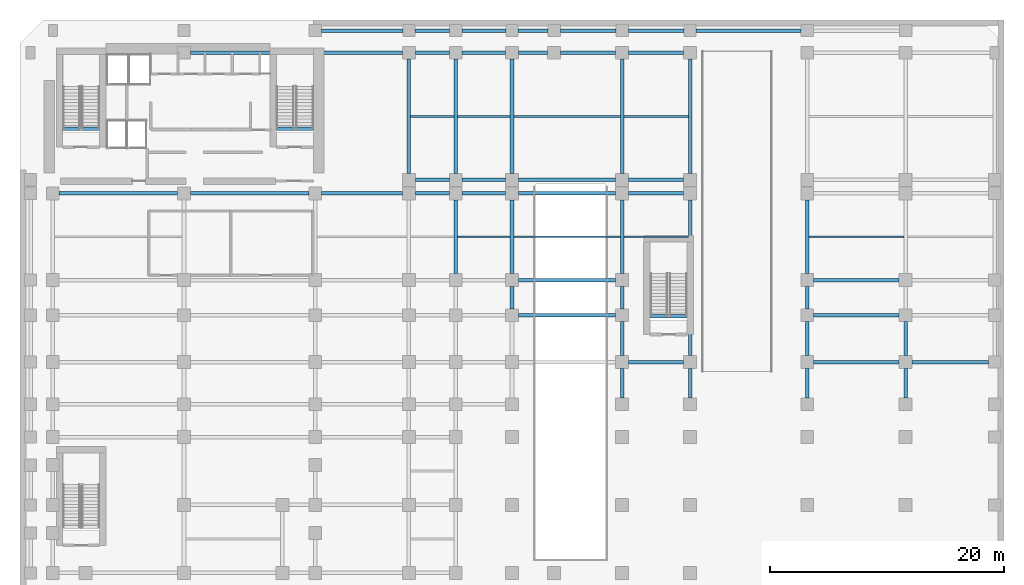
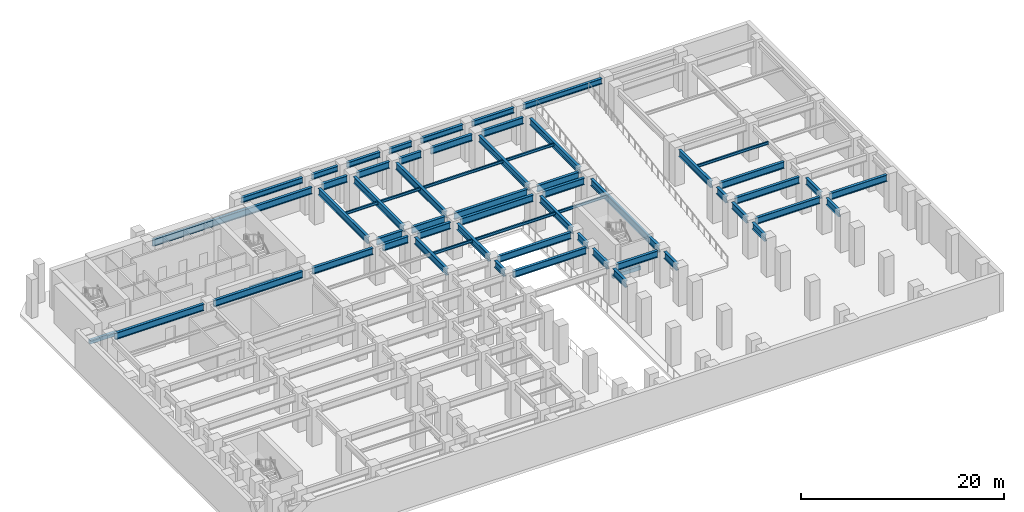
# One storey, part 3 of 12: 62 beams.
"""IFC4 building model written with IfcOpenShell, lengths in metres."""

from ifc_helpers import new_model, si_unit, direction, frame, origin, origin_2d, place, context, subcontext, project, spatial, rectangle, i_section, extrude, material, material_profile, profile_set, type_object, element, save


model = new_model("IFC4")

# Units and contexts
model_context = context("Model", 3, precision=1e-05, world=origin(), true_north=direction((0.0, 1.0)))
body_context = subcontext(model_context, "Body", "Model", "MODEL_VIEW")
ifc_project = project(units=[si_unit("LENGTHUNIT", "METRE"), si_unit("AREAUNIT", "SQUARE_METRE"), si_unit("VOLUMEUNIT", "CUBIC_METRE"), si_unit("PLANEANGLEUNIT", "RADIAN"), si_unit("MASSUNIT", "GRAM", prefix="KILO")], contexts=[model_context])

# Site, building, storey
site_placement = place(None, origin())
site = spatial("IfcSite", under=ifc_project, at=site_placement, CompositionType="ELEMENT")
building_placement = place(site_placement, origin())
building = spatial("IfcBuilding", under=site, at=building_placement, Name="Kefirva Bronze Tower", CompositionType="ELEMENT")
storey_placement = place(building_placement, frame((0.0, 0.0, -4.6201171875)))
storey = spatial("IfcBuildingStorey", under=building, at=storey_placement, Name="B1", CompositionType="ELEMENT", Elevation=-4.6201171875)

# Beams
ifc_material_1 = material(Name="Concrete C50/60", Category="concrete")
ifc_material_profile_1 = material_profile(ifc_material_1, rectangle(XDim=0.300048828125, YDim=0.449951171875, at=origin_2d()), Name="RC 300x450")
ifc_profile_set_1 = profile_set([ifc_material_profile_1], Name="Concrete C50/60")
beam_type_1 = type_object("IfcBeamType", Name="RC Stair Trimmer Beam 300x450", PredefinedType="BEAM", material=ifc_profile_set_1)
beam_1_placement = place(storey_placement, frame((1.64501953125, 38.699951171875, -0.224853515625), z_axis=(1.0, 0.0, 0.0), x_axis=(0.0, 1.0, 0.0)))
element("IfcBeam", 1, at=beam_1_placement, inside=storey, type_object=beam_type_1, Name="B1 Stair 1 Landing Trimmer Beam", PredefinedType="BEAM", context=body_context, shape_type="SweptSolid", body=[
    extrude(rectangle(XDim=0.300048828125, YDim=0.449951171875, at=origin_2d()), origin(), (0.0, 0.0, 1.0), 3.14990234375),
])
beam_2_placement = place(storey_placement, frame((19.89501953125, 38.699951171875, -0.224853515625), z_axis=(1.0, 0.0, 0.0), x_axis=(0.0, 1.0, 0.0)))
element("IfcBeam", 2, at=beam_2_placement, inside=storey, type_object=beam_type_1, Name="B1 Stair 2 Landing Trimmer Beam", PredefinedType="BEAM", context=body_context, shape_type="SweptSolid", body=[
    extrude(rectangle(XDim=0.300048828125, YDim=0.449951171875, at=origin_2d()), origin(), (0.0, 0.0, 1.0), 3.159912109375),
])
beam_3_placement = place(storey_placement, frame((51.794921875, 22.699951171875, -0.224853515625), z_axis=(1.0, 0.0, 0.0), x_axis=(0.0, 1.0, 0.0)))
element("IfcBeam", 3, at=beam_3_placement, inside=storey, type_object=beam_type_1, Name="B1 Stair 4 Landing Trimmer Beam", PredefinedType="BEAM", context=body_context, shape_type="SweptSolid", body=[
    extrude(rectangle(XDim=0.300048828125, YDim=0.449951171875, at=origin_2d()), origin(), (0.0, 0.0, 1.0), 3.150146484375),
])
ifc_material_2 = material(Name="Steel S355", Category="steel")
ifc_material_profile_2 = material_profile(ifc_material_2, i_section(OverallWidth=0.159912109375, OverallDepth=0.330078125, WebThickness=0.007568359375, FlangeThickness=0.011474609375, at=origin_2d()), Name="IPE 330")
ifc_profile_set_2 = profile_set([ifc_material_profile_2], Name="Steel S355")
beam_type_2 = type_object("IfcBeamType", Name="Steel Floor Joist IPE 330", PredefinedType="JOIST", material=ifc_profile_set_2)
beam_4_placement = place(storey_placement, frame((31.35009765625, 39.77490234375, 4.135009765625), z_axis=(1.0, 0.0, 0.0), x_axis=(0.0, 1.0, 0.0)))
element("IfcBeam", 4, at=beam_4_placement, inside=storey, type_object=beam_type_2, Name="B1 JST-B1-31-397", PredefinedType="JOIST", context=body_context, shape_type="SweptSolid", body=[
    extrude(i_section(OverallWidth=0.159912109375, OverallDepth=0.330078125, WebThickness=0.007568359375, FlangeThickness=0.011474609375, at=origin_2d()), origin(), (0.0, 0.0, 1.0), 3.699951171875),
])
for number, where, z_axis, x_axis, name in (
    (5, (35.35009765625, 29.5, 4.135009765625), (1.0, 0.0, 0.0), (0.0, 1.0, 0.0), "B1 JST-B1-35-295"),
    (6, (35.35009765625, 39.77490234375, 4.135009765625), (1.0, 0.0, 0.0), (0.0, 1.0, 0.0), "B1 JST-B1-35-397"),
):
    element("IfcBeam", number, at=place(storey_placement, frame(where, z_axis=z_axis, x_axis=x_axis)), inside=storey, type_object=beam_type_2, Name=name, PredefinedType="JOIST", context=body_context, shape_type="SweptSolid", body=[
        extrude(i_section(OverallWidth=0.159912109375, OverallDepth=0.330078125, WebThickness=0.007568359375, FlangeThickness=0.011474609375, at=origin_2d()), origin(), (0.0, 0.0, 1.0), 4.5),
    ])
for number, where, z_axis, x_axis, name in (
    (7, (40.14990234375, 29.5, 4.135009765625), (1.0, 0.0, 0.0), (0.0, 1.0, 0.0), "B1 JST-B1-40-295"),
    (8, (40.14990234375, 39.77490234375, 4.135009765625), (1.0, 0.0, 0.0), (0.0, 1.0, 0.0), "B1 JST-B1-40-397"),
):
    element("IfcBeam", number, at=place(storey_placement, frame(where, z_axis=z_axis, x_axis=x_axis)), inside=storey, type_object=beam_type_2, Name=name, PredefinedType="JOIST", context=body_context, shape_type="SweptSolid", body=[
        extrude(i_section(OverallWidth=0.159912109375, OverallDepth=0.330078125, WebThickness=0.007568359375, FlangeThickness=0.011474609375, at=origin_2d()), origin(), (0.0, 0.0, 1.0), 9.10009765625),
    ])
for number, where, z_axis, x_axis, name in (
    (9, (49.550048828125, 29.5, 4.135009765625), (1.0, 0.0, 0.0), (0.0, 1.0, 0.0), "B1 JST-B1-49-295"),
    (10, (49.550048828125, 39.77490234375, 4.135009765625), (1.0, 0.0, 0.0), (0.0, 1.0, 0.0), "B1 JST-B1-49-397"),
):
    element("IfcBeam", number, at=place(storey_placement, frame(where, z_axis=z_axis, x_axis=x_axis)), inside=storey, type_object=beam_type_2, Name=name, PredefinedType="JOIST", context=body_context, shape_type="SweptSolid", body=[
        extrude(i_section(OverallWidth=0.159912109375, OverallDepth=0.330078125, WebThickness=0.007568359375, FlangeThickness=0.011474609375, at=origin_2d()), origin(), (0.0, 0.0, 1.0), 5.5),
    ])
beam_5_placement = place(storey_placement, frame((65.35009765625, 29.5, 4.135009765625), z_axis=(1.0, 0.0, 0.0), x_axis=(0.0, 1.0, 0.0)))
element("IfcBeam", 11, at=beam_5_placement, inside=storey, type_object=beam_type_2, Name="B1 JST-B1-65-295", PredefinedType="JOIST", context=body_context, shape_type="SweptSolid", body=[
    extrude(i_section(OverallWidth=0.159912109375, OverallDepth=0.330078125, WebThickness=0.007568359375, FlangeThickness=0.011474609375, at=origin_2d()), origin(), (0.0, 0.0, 1.0), 8.099853515625),
])
ifc_material_profile_3 = material_profile(ifc_material_2, i_section(OverallWidth=0.300048828125, OverallDepth=0.800048828125, WebThickness=0.017578125, FlangeThickness=0.032958984375, at=origin_2d()), Name="HEB 800")
ifc_profile_set_3 = profile_set([ifc_material_profile_3], Name="Steel S355")
beam_type_3 = type_object("IfcBeamType", Name="Steel Girder HEB 800", PredefinedType="USERDEFINED", material=ifc_profile_set_3)
beam_6_placement = place(storey_placement, frame((49.949951171875, 18.800048828125, 3.900146484375), z_axis=(1.0, 0.0, 0.0), x_axis=(0.0, 1.0, 0.0)))
element("IfcBeam", 12, at=beam_6_placement, inside=storey, type_object=beam_type_3, Name="B1 BM-B1-EW-49-188", ObjectType="GIRDER", PredefinedType="USERDEFINED", context=body_context, shape_type="SweptSolid", body=[
    extrude(i_section(OverallWidth=0.300048828125, OverallDepth=0.800048828125, WebThickness=0.017578125, FlangeThickness=0.032958984375, at=origin_2d()), origin(), (0.0, 0.0, 1.0), 4.699951171875),
])
beam_7_placement = place(storey_placement, frame((65.75, 18.800048828125, 3.900146484375), z_axis=(1.0, 0.0, 0.0), x_axis=(0.0, 1.0, 0.0)))
element("IfcBeam", 13, at=beam_7_placement, inside=storey, type_object=beam_type_3, Name="B1 BM-B1-EW-65-188", ObjectType="GIRDER", PredefinedType="USERDEFINED", context=body_context, shape_type="SweptSolid", body=[
    extrude(i_section(OverallWidth=0.300048828125, OverallDepth=0.800048828125, WebThickness=0.017578125, FlangeThickness=0.032958984375, at=origin_2d()), origin(), (0.0, 0.0, 1.0), 7.300048828125),
])
beam_8_placement = place(storey_placement, frame((74.14990234375, 18.800048828125, 3.900146484375), z_axis=(1.0, 0.0, 0.0), x_axis=(0.0, 1.0, 0.0)))
element("IfcBeam", 14, at=beam_8_placement, inside=storey, type_object=beam_type_3, Name="B1 BM-B1-EW-73-188", ObjectType="GIRDER", PredefinedType="USERDEFINED", context=body_context, shape_type="SweptSolid", body=[
    extrude(i_section(OverallWidth=0.300048828125, OverallDepth=0.800048828125, WebThickness=0.017578125, FlangeThickness=0.032958984375, at=origin_2d()), origin(), (0.0, 0.0, 1.0), 6.525146484375),
])
beam_9_placement = place(storey_placement, frame((40.550048828125, 22.800048828125, 3.900146484375), z_axis=(1.0, 0.0, 0.0), x_axis=(0.0, 1.0, 0.0)))
element("IfcBeam", 15, at=beam_9_placement, inside=storey, type_object=beam_type_3, Name="B1 BM-B1-EW-40-228", ObjectType="GIRDER", PredefinedType="USERDEFINED", context=body_context, shape_type="SweptSolid", body=[
    extrude(i_section(OverallWidth=0.300048828125, OverallDepth=0.800048828125, WebThickness=0.017578125, FlangeThickness=0.032958984375, at=origin_2d()), origin(), (0.0, 0.0, 1.0), 8.300048828125),
])
beam_10_placement = place(storey_placement, frame((65.75, 22.800048828125, 3.900146484375), z_axis=(1.0, 0.0, 0.0), x_axis=(0.0, 1.0, 0.0)))
element("IfcBeam", 16, at=beam_10_placement, inside=storey, type_object=beam_type_3, Name="B1 BM-B1-EW-65-228", ObjectType="GIRDER", PredefinedType="USERDEFINED", context=body_context, shape_type="SweptSolid", body=[
    extrude(i_section(OverallWidth=0.300048828125, OverallDepth=0.800048828125, WebThickness=0.017578125, FlangeThickness=0.032958984375, at=origin_2d()), origin(), (0.0, 0.0, 1.0), 7.300048828125),
])
beam_11_placement = place(storey_placement, frame((40.550048828125, 25.800048828125, 3.900146484375), z_axis=(1.0, 0.0, 0.0), x_axis=(0.0, 1.0, 0.0)))
element("IfcBeam", 17, at=beam_11_placement, inside=storey, type_object=beam_type_3, Name="B1 BM-B1-EW-40-258", ObjectType="GIRDER", PredefinedType="USERDEFINED", context=body_context, shape_type="SweptSolid", body=[
    extrude(i_section(OverallWidth=0.300048828125, OverallDepth=0.800048828125, WebThickness=0.017578125, FlangeThickness=0.032958984375, at=origin_2d()), origin(), (0.0, 0.0, 1.0), 8.300048828125),
])
beam_12_placement = place(storey_placement, frame((65.75, 25.800048828125, 3.900146484375), z_axis=(1.0, 0.0, 0.0), x_axis=(0.0, 1.0, 0.0)))
element("IfcBeam", 18, at=beam_12_placement, inside=storey, type_object=beam_type_3, Name="B1 BM-B1-EW-65-258", ObjectType="GIRDER", PredefinedType="USERDEFINED", context=body_context, shape_type="SweptSolid", body=[
    extrude(i_section(OverallWidth=0.300048828125, OverallDepth=0.800048828125, WebThickness=0.017578125, FlangeThickness=0.032958984375, at=origin_2d()), origin(), (0.0, 0.0, 1.0), 7.300048828125),
])
for number, where, z_axis, x_axis, name in (
    (19, (1.35009765625, 33.199951171875, 3.900146484375), (1.0, 0.0, 0.0), (0.0, 1.0, 0.0), "B1 BM-B1-EW-0-332"),
    (20, (12.550048828125, 33.199951171875, 3.900146484375), (1.0, 0.0, 0.0), (0.0, 1.0, 0.0), "B1 BM-B1-EW-12-332"),
):
    element("IfcBeam", number, at=place(storey_placement, frame(where, z_axis=z_axis, x_axis=x_axis)), inside=storey, type_object=beam_type_3, Name=name, ObjectType="GIRDER", PredefinedType="USERDEFINED", context=body_context, shape_type="SweptSolid", body=[
        extrude(i_section(OverallWidth=0.300048828125, OverallDepth=0.800048828125, WebThickness=0.017578125, FlangeThickness=0.032958984375, at=origin_2d()), origin(), (0.0, 0.0, 1.0), 10.099853515625),
    ])
beam_13_placement = place(storey_placement, frame((23.75, 33.199951171875, 3.900146484375), z_axis=(1.0, 0.0, 0.0), x_axis=(0.0, 1.0, 0.0)))
element("IfcBeam", 21, at=beam_13_placement, inside=storey, type_object=beam_type_3, Name="B1 BM-B1-EW-23-332", ObjectType="GIRDER", PredefinedType="USERDEFINED", context=body_context, shape_type="SweptSolid", body=[
    extrude(i_section(OverallWidth=0.300048828125, OverallDepth=0.800048828125, WebThickness=0.017578125, FlangeThickness=0.032958984375, at=origin_2d()), origin(), (0.0, 0.0, 1.0), 6.89990234375),
])
beam_14_placement = place(storey_placement, frame((31.75, 33.199951171875, 3.900146484375), z_axis=(1.0, 0.0, 0.0), x_axis=(0.0, 1.0, 0.0)))
element("IfcBeam", 22, at=beam_14_placement, inside=storey, type_object=beam_type_3, Name="B1 BM-B1-EW-31-332", ObjectType="GIRDER", PredefinedType="USERDEFINED", context=body_context, shape_type="SweptSolid", body=[
    extrude(i_section(OverallWidth=0.300048828125, OverallDepth=0.800048828125, WebThickness=0.017578125, FlangeThickness=0.032958984375, at=origin_2d()), origin(), (0.0, 0.0, 1.0), 2.89990234375),
])
beam_15_placement = place(storey_placement, frame((35.75, 33.199951171875, 3.900146484375), z_axis=(1.0, 0.0, 0.0), x_axis=(0.0, 1.0, 0.0)))
element("IfcBeam", 23, at=beam_15_placement, inside=storey, type_object=beam_type_3, Name="B1 BM-B1-EW-35-332", ObjectType="GIRDER", PredefinedType="USERDEFINED", context=body_context, shape_type="SweptSolid", body=[
    extrude(i_section(OverallWidth=0.300048828125, OverallDepth=0.800048828125, WebThickness=0.017578125, FlangeThickness=0.032958984375, at=origin_2d()), origin(), (0.0, 0.0, 1.0), 3.699951171875),
])
beam_16_placement = place(storey_placement, frame((40.550048828125, 33.199951171875, 3.900146484375), z_axis=(1.0, 0.0, 0.0), x_axis=(0.0, 1.0, 0.0)))
element("IfcBeam", 24, at=beam_16_placement, inside=storey, type_object=beam_type_3, Name="B1 BM-B1-EW-40-332", ObjectType="GIRDER", PredefinedType="USERDEFINED", context=body_context, shape_type="SweptSolid", body=[
    extrude(i_section(OverallWidth=0.300048828125, OverallDepth=0.800048828125, WebThickness=0.017578125, FlangeThickness=0.032958984375, at=origin_2d()), origin(), (0.0, 0.0, 1.0), 8.300048828125),
])
beam_17_placement = place(storey_placement, frame((49.949951171875, 33.199951171875, 3.900146484375), z_axis=(1.0, 0.0, 0.0), x_axis=(0.0, 1.0, 0.0)))
element("IfcBeam", 25, at=beam_17_placement, inside=storey, type_object=beam_type_3, Name="B1 BM-B1-EW-49-332", ObjectType="GIRDER", PredefinedType="USERDEFINED", context=body_context, shape_type="SweptSolid", body=[
    extrude(i_section(OverallWidth=0.300048828125, OverallDepth=0.800048828125, WebThickness=0.017578125, FlangeThickness=0.032958984375, at=origin_2d()), origin(), (0.0, 0.0, 1.0), 4.699951171875),
])
beam_18_placement = place(storey_placement, frame((31.75, 34.35009765625, 3.900146484375), z_axis=(1.0, 0.0, 0.0), x_axis=(0.0, 1.0, 0.0)))
element("IfcBeam", 26, at=beam_18_placement, inside=storey, type_object=beam_type_3, Name="B1 BM-B1-EW-31-344", ObjectType="GIRDER", PredefinedType="USERDEFINED", context=body_context, shape_type="SweptSolid", body=[
    extrude(i_section(OverallWidth=0.300048828125, OverallDepth=0.800048828125, WebThickness=0.017578125, FlangeThickness=0.032958984375, at=origin_2d()), origin(), (0.0, 0.0, 1.0), 2.89990234375),
])
beam_19_placement = place(storey_placement, frame((35.75, 34.35009765625, 3.900146484375), z_axis=(1.0, 0.0, 0.0), x_axis=(0.0, 1.0, 0.0)))
element("IfcBeam", 27, at=beam_19_placement, inside=storey, type_object=beam_type_3, Name="B1 BM-B1-EW-35-344", ObjectType="GIRDER", PredefinedType="USERDEFINED", context=body_context, shape_type="SweptSolid", body=[
    extrude(i_section(OverallWidth=0.300048828125, OverallDepth=0.800048828125, WebThickness=0.017578125, FlangeThickness=0.032958984375, at=origin_2d()), origin(), (0.0, 0.0, 1.0), 3.699951171875),
])
beam_20_placement = place(storey_placement, frame((40.550048828125, 34.35009765625, 3.900146484375), z_axis=(1.0, 0.0, 0.0), x_axis=(0.0, 1.0, 0.0)))
element("IfcBeam", 28, at=beam_20_placement, inside=storey, type_object=beam_type_3, Name="B1 BM-B1-EW-40-344", ObjectType="GIRDER", PredefinedType="USERDEFINED", context=body_context, shape_type="SweptSolid", body=[
    extrude(i_section(OverallWidth=0.300048828125, OverallDepth=0.800048828125, WebThickness=0.017578125, FlangeThickness=0.032958984375, at=origin_2d()), origin(), (0.0, 0.0, 1.0), 8.300048828125),
])
beam_21_placement = place(storey_placement, frame((49.949951171875, 34.35009765625, 3.900146484375), z_axis=(1.0, 0.0, 0.0), x_axis=(0.0, 1.0, 0.0)))
element("IfcBeam", 29, at=beam_21_placement, inside=storey, type_object=beam_type_3, Name="B1 BM-B1-EW-49-344", ObjectType="GIRDER", PredefinedType="USERDEFINED", context=body_context, shape_type="SweptSolid", body=[
    extrude(i_section(OverallWidth=0.300048828125, OverallDepth=0.800048828125, WebThickness=0.017578125, FlangeThickness=0.032958984375, at=origin_2d()), origin(), (0.0, 0.0, 1.0), 4.699951171875),
])
beam_22_placement = place(storey_placement, frame((12.550048828125, 45.199951171875, 3.900146484375), z_axis=(1.0, 0.0, 0.0), x_axis=(0.0, 1.0, 0.0)))
element("IfcBeam", 30, at=beam_22_placement, inside=storey, type_object=beam_type_3, Name="B1 BM-B1-EW-12-452", ObjectType="GIRDER", PredefinedType="USERDEFINED", context=body_context, shape_type="SweptSolid", body=[
    extrude(i_section(OverallWidth=0.300048828125, OverallDepth=0.800048828125, WebThickness=0.017578125, FlangeThickness=0.032958984375, at=origin_2d()), origin(), (0.0, 0.0, 1.0), 18.099853515625),
])
beam_23_placement = place(storey_placement, frame((31.75, 45.199951171875, 3.900146484375), z_axis=(1.0, 0.0, 0.0), x_axis=(0.0, 1.0, 0.0)))
element("IfcBeam", 31, at=beam_23_placement, inside=storey, type_object=beam_type_3, Name="B1 BM-B1-EW-31-452", ObjectType="GIRDER", PredefinedType="USERDEFINED", context=body_context, shape_type="SweptSolid", body=[
    extrude(i_section(OverallWidth=0.300048828125, OverallDepth=0.800048828125, WebThickness=0.017578125, FlangeThickness=0.032958984375, at=origin_2d()), origin(), (0.0, 0.0, 1.0), 2.89990234375),
])
beam_24_placement = place(storey_placement, frame((35.75, 45.199951171875, 3.900146484375), z_axis=(1.0, 0.0, 0.0), x_axis=(0.0, 1.0, 0.0)))
element("IfcBeam", 32, at=beam_24_placement, inside=storey, type_object=beam_type_3, Name="B1 BM-B1-EW-35-452", ObjectType="GIRDER", PredefinedType="USERDEFINED", context=body_context, shape_type="SweptSolid", body=[
    extrude(i_section(OverallWidth=0.300048828125, OverallDepth=0.800048828125, WebThickness=0.017578125, FlangeThickness=0.032958984375, at=origin_2d()), origin(), (0.0, 0.0, 1.0), 3.699951171875),
])
beam_25_placement = place(storey_placement, frame((40.550048828125, 45.199951171875, 3.900146484375), z_axis=(1.0, 0.0, 0.0), x_axis=(0.0, 1.0, 0.0)))
element("IfcBeam", 33, at=beam_25_placement, inside=storey, type_object=beam_type_3, Name="B1 BM-B1-EW-40-452", ObjectType="GIRDER", PredefinedType="USERDEFINED", context=body_context, shape_type="SweptSolid", body=[
    extrude(i_section(OverallWidth=0.300048828125, OverallDepth=0.800048828125, WebThickness=0.017578125, FlangeThickness=0.032958984375, at=origin_2d()), origin(), (0.0, 0.0, 1.0), 2.5),
])
beam_26_placement = place(storey_placement, frame((44.14990234375, 45.199951171875, 3.900146484375), z_axis=(1.0, 0.0, 0.0), x_axis=(0.0, 1.0, 0.0)))
element("IfcBeam", 34, at=beam_26_placement, inside=storey, type_object=beam_type_3, Name="B1 BM-B1-EW-43-452", ObjectType="GIRDER", PredefinedType="USERDEFINED", context=body_context, shape_type="SweptSolid", body=[
    extrude(i_section(OverallWidth=0.300048828125, OverallDepth=0.800048828125, WebThickness=0.017578125, FlangeThickness=0.032958984375, at=origin_2d()), origin(), (0.0, 0.0, 1.0), 4.7001953125),
])
beam_27_placement = place(storey_placement, frame((49.949951171875, 45.199951171875, 3.900146484375), z_axis=(1.0, 0.0, 0.0), x_axis=(0.0, 1.0, 0.0)))
element("IfcBeam", 35, at=beam_27_placement, inside=storey, type_object=beam_type_3, Name="B1 BM-B1-EW-49-452", ObjectType="GIRDER", PredefinedType="USERDEFINED", context=body_context, shape_type="SweptSolid", body=[
    extrude(i_section(OverallWidth=0.300048828125, OverallDepth=0.800048828125, WebThickness=0.017578125, FlangeThickness=0.032958984375, at=origin_2d()), origin(), (0.0, 0.0, 1.0), 4.699951171875),
])
beam_28_placement = place(storey_placement, frame((31.199951171875, 34.89990234375, 3.900146484375), z_axis=(0.0, 1.0, 0.0), x_axis=(-1.0, 0.0, 0.0)))
element("IfcBeam", 36, at=beam_28_placement, inside=storey, type_object=beam_type_3, Name="B1 BM-B1-NS-312-34", ObjectType="GIRDER", PredefinedType="USERDEFINED", context=body_context, shape_type="SweptSolid", body=[
    extrude(i_section(OverallWidth=0.300048828125, OverallDepth=0.800048828125, WebThickness=0.017578125, FlangeThickness=0.032958984375, at=origin_2d()), origin(), (0.0, 0.0, 1.0), 9.75),
])
beam_29_placement = place(storey_placement, frame((35.199951171875, 26.35009765625, 3.900146484375), z_axis=(0.0, 1.0, 0.0), x_axis=(-1.0, 0.0, 0.0)))
element("IfcBeam", 37, at=beam_29_placement, inside=storey, type_object=beam_type_3, Name="B1 BM-B1-NS-352-25", ObjectType="GIRDER", PredefinedType="USERDEFINED", context=body_context, shape_type="SweptSolid", body=[
    extrude(i_section(OverallWidth=0.300048828125, OverallDepth=0.800048828125, WebThickness=0.017578125, FlangeThickness=0.032958984375, at=origin_2d()), origin(), (0.0, 0.0, 1.0), 6.2998046875),
])
beam_30_placement = place(storey_placement, frame((35.199951171875, 34.89990234375, 3.900146484375), z_axis=(0.0, 1.0, 0.0), x_axis=(-1.0, 0.0, 0.0)))
element("IfcBeam", 38, at=beam_30_placement, inside=storey, type_object=beam_type_3, Name="B1 BM-B1-NS-352-34", ObjectType="GIRDER", PredefinedType="USERDEFINED", context=body_context, shape_type="SweptSolid", body=[
    extrude(i_section(OverallWidth=0.300048828125, OverallDepth=0.800048828125, WebThickness=0.017578125, FlangeThickness=0.032958984375, at=origin_2d()), origin(), (0.0, 0.0, 1.0), 9.75),
])
beam_31_placement = place(storey_placement, frame((40.0, 23.35009765625, 3.900146484375), z_axis=(0.0, 1.0, 0.0), x_axis=(-1.0, 0.0, 0.0)))
element("IfcBeam", 39, at=beam_31_placement, inside=storey, type_object=beam_type_3, Name="B1 BM-B1-NS-400-22", ObjectType="GIRDER", PredefinedType="USERDEFINED", context=body_context, shape_type="SweptSolid", body=[
    extrude(i_section(OverallWidth=0.300048828125, OverallDepth=0.800048828125, WebThickness=0.017578125, FlangeThickness=0.032958984375, at=origin_2d()), origin(), (0.0, 0.0, 1.0), 1.89990234375),
])
beam_32_placement = place(storey_placement, frame((40.0, 26.35009765625, 3.900146484375), z_axis=(0.0, 1.0, 0.0), x_axis=(-1.0, 0.0, 0.0)))
element("IfcBeam", 40, at=beam_32_placement, inside=storey, type_object=beam_type_3, Name="B1 BM-B1-NS-400-25", ObjectType="GIRDER", PredefinedType="USERDEFINED", context=body_context, shape_type="SweptSolid", body=[
    extrude(i_section(OverallWidth=0.300048828125, OverallDepth=0.800048828125, WebThickness=0.017578125, FlangeThickness=0.032958984375, at=origin_2d()), origin(), (0.0, 0.0, 1.0), 6.2998046875),
])
beam_33_placement = place(storey_placement, frame((40.0, 34.89990234375, 3.900146484375), z_axis=(0.0, 1.0, 0.0), x_axis=(-1.0, 0.0, 0.0)))
element("IfcBeam", 41, at=beam_33_placement, inside=storey, type_object=beam_type_3, Name="B1 BM-B1-NS-400-34", ObjectType="GIRDER", PredefinedType="USERDEFINED", context=body_context, shape_type="SweptSolid", body=[
    extrude(i_section(OverallWidth=0.300048828125, OverallDepth=0.800048828125, WebThickness=0.017578125, FlangeThickness=0.032958984375, at=origin_2d()), origin(), (0.0, 0.0, 1.0), 9.75),
])
beam_34_placement = place(storey_placement, frame((49.39990234375, 15.75, 3.900146484375), z_axis=(0.0, 1.0, 0.0), x_axis=(-1.0, 0.0, 0.0)))
element("IfcBeam", 42, at=beam_34_placement, inside=storey, type_object=beam_type_3, Name="B1 BM-B1-NS-494-15", ObjectType="GIRDER", PredefinedType="USERDEFINED", context=body_context, shape_type="SweptSolid", body=[
    extrude(i_section(OverallWidth=0.300048828125, OverallDepth=0.800048828125, WebThickness=0.017578125, FlangeThickness=0.032958984375, at=origin_2d()), origin(), (0.0, 0.0, 1.0), 2.5),
])
beam_35_placement = place(storey_placement, frame((49.39990234375, 19.35009765625, 3.900146484375), z_axis=(0.0, 1.0, 0.0), x_axis=(-1.0, 0.0, 0.0)))
element("IfcBeam", 43, at=beam_35_placement, inside=storey, type_object=beam_type_3, Name="B1 BM-B1-NS-494-18", ObjectType="GIRDER", PredefinedType="USERDEFINED", context=body_context, shape_type="SweptSolid", body=[
    extrude(i_section(OverallWidth=0.300048828125, OverallDepth=0.800048828125, WebThickness=0.017578125, FlangeThickness=0.032958984375, at=origin_2d()), origin(), (0.0, 0.0, 1.0), 2.89990234375),
])
beam_36_placement = place(storey_placement, frame((49.39990234375, 23.35009765625, 3.900146484375), z_axis=(0.0, 1.0, 0.0), x_axis=(-1.0, 0.0, 0.0)))
element("IfcBeam", 44, at=beam_36_placement, inside=storey, type_object=beam_type_3, Name="B1 BM-B1-NS-494-22", ObjectType="GIRDER", PredefinedType="USERDEFINED", context=body_context, shape_type="SweptSolid", body=[
    extrude(i_section(OverallWidth=0.300048828125, OverallDepth=0.800048828125, WebThickness=0.017578125, FlangeThickness=0.032958984375, at=origin_2d()), origin(), (0.0, 0.0, 1.0), 1.89990234375),
])
beam_37_placement = place(storey_placement, frame((49.39990234375, 26.35009765625, 3.900146484375), z_axis=(0.0, 1.0, 0.0), x_axis=(-1.0, 0.0, 0.0)))
element("IfcBeam", 45, at=beam_37_placement, inside=storey, type_object=beam_type_3, Name="B1 BM-B1-NS-494-25", ObjectType="GIRDER", PredefinedType="USERDEFINED", context=body_context, shape_type="SweptSolid", body=[
    extrude(i_section(OverallWidth=0.300048828125, OverallDepth=0.800048828125, WebThickness=0.017578125, FlangeThickness=0.032958984375, at=origin_2d()), origin(), (0.0, 0.0, 1.0), 6.2998046875),
])
beam_38_placement = place(storey_placement, frame((49.39990234375, 34.89990234375, 3.900146484375), z_axis=(0.0, 1.0, 0.0), x_axis=(-1.0, 0.0, 0.0)))
element("IfcBeam", 46, at=beam_38_placement, inside=storey, type_object=beam_type_3, Name="B1 BM-B1-NS-494-34", ObjectType="GIRDER", PredefinedType="USERDEFINED", context=body_context, shape_type="SweptSolid", body=[
    extrude(i_section(OverallWidth=0.300048828125, OverallDepth=0.800048828125, WebThickness=0.017578125, FlangeThickness=0.032958984375, at=origin_2d()), origin(), (0.0, 0.0, 1.0), 9.75),
])
beam_39_placement = place(storey_placement, frame((55.199951171875, 15.75, 3.900146484375), z_axis=(0.0, 1.0, 0.0), x_axis=(-1.0, 0.0, 0.0)))
element("IfcBeam", 47, at=beam_39_placement, inside=storey, type_object=beam_type_3, Name="B1 BM-B1-NS-552-15", ObjectType="GIRDER", PredefinedType="USERDEFINED", context=body_context, shape_type="SweptSolid", body=[
    extrude(i_section(OverallWidth=0.300048828125, OverallDepth=0.800048828125, WebThickness=0.017578125, FlangeThickness=0.032958984375, at=origin_2d()), origin(), (0.0, 0.0, 1.0), 2.5),
])
beam_40_placement = place(storey_placement, frame((55.199951171875, 19.35009765625, 3.900146484375), z_axis=(0.0, 1.0, 0.0), x_axis=(-1.0, 0.0, 0.0)))
element("IfcBeam", 48, at=beam_40_placement, inside=storey, type_object=beam_type_3, Name="B1 BM-B1-NS-552-18", ObjectType="GIRDER", PredefinedType="USERDEFINED", context=body_context, shape_type="SweptSolid", body=[
    extrude(i_section(OverallWidth=0.300048828125, OverallDepth=0.800048828125, WebThickness=0.017578125, FlangeThickness=0.032958984375, at=origin_2d()), origin(), (0.0, 0.0, 1.0), 13.2998046875),
])
beam_41_placement = place(storey_placement, frame((55.199951171875, 34.89990234375, 3.900146484375), z_axis=(0.0, 1.0, 0.0), x_axis=(-1.0, 0.0, 0.0)))
element("IfcBeam", 49, at=beam_41_placement, inside=storey, type_object=beam_type_3, Name="B1 BM-B1-NS-552-34", ObjectType="GIRDER", PredefinedType="USERDEFINED", context=body_context, shape_type="SweptSolid", body=[
    extrude(i_section(OverallWidth=0.300048828125, OverallDepth=0.800048828125, WebThickness=0.017578125, FlangeThickness=0.032958984375, at=origin_2d()), origin(), (0.0, 0.0, 1.0), 9.75),
])
beam_42_placement = place(storey_placement, frame((65.199951171875, 15.75, 3.900146484375), z_axis=(0.0, 1.0, 0.0), x_axis=(-1.0, 0.0, 0.0)))
element("IfcBeam", 50, at=beam_42_placement, inside=storey, type_object=beam_type_3, Name="B1 BM-B1-NS-652-15", ObjectType="GIRDER", PredefinedType="USERDEFINED", context=body_context, shape_type="SweptSolid", body=[
    extrude(i_section(OverallWidth=0.300048828125, OverallDepth=0.800048828125, WebThickness=0.017578125, FlangeThickness=0.032958984375, at=origin_2d()), origin(), (0.0, 0.0, 1.0), 2.5),
])
beam_43_placement = place(storey_placement, frame((65.199951171875, 19.35009765625, 3.900146484375), z_axis=(0.0, 1.0, 0.0), x_axis=(-1.0, 0.0, 0.0)))
element("IfcBeam", 51, at=beam_43_placement, inside=storey, type_object=beam_type_3, Name="B1 BM-B1-NS-652-18", ObjectType="GIRDER", PredefinedType="USERDEFINED", context=body_context, shape_type="SweptSolid", body=[
    extrude(i_section(OverallWidth=0.300048828125, OverallDepth=0.800048828125, WebThickness=0.017578125, FlangeThickness=0.032958984375, at=origin_2d()), origin(), (0.0, 0.0, 1.0), 2.89990234375),
])
beam_44_placement = place(storey_placement, frame((65.199951171875, 23.35009765625, 3.900146484375), z_axis=(0.0, 1.0, 0.0), x_axis=(-1.0, 0.0, 0.0)))
element("IfcBeam", 52, at=beam_44_placement, inside=storey, type_object=beam_type_3, Name="B1 BM-B1-NS-652-22", ObjectType="GIRDER", PredefinedType="USERDEFINED", context=body_context, shape_type="SweptSolid", body=[
    extrude(i_section(OverallWidth=0.300048828125, OverallDepth=0.800048828125, WebThickness=0.017578125, FlangeThickness=0.032958984375, at=origin_2d()), origin(), (0.0, 0.0, 1.0), 1.89990234375),
])
beam_45_placement = place(storey_placement, frame((65.199951171875, 26.35009765625, 3.900146484375), z_axis=(0.0, 1.0, 0.0), x_axis=(-1.0, 0.0, 0.0)))
element("IfcBeam", 53, at=beam_45_placement, inside=storey, type_object=beam_type_3, Name="B1 BM-B1-NS-652-25", ObjectType="GIRDER", PredefinedType="USERDEFINED", context=body_context, shape_type="SweptSolid", body=[
    extrude(i_section(OverallWidth=0.300048828125, OverallDepth=0.800048828125, WebThickness=0.017578125, FlangeThickness=0.032958984375, at=origin_2d()), origin(), (0.0, 0.0, 1.0), 6.2998046875),
])
beam_46_placement = place(storey_placement, frame((73.60009765625, 15.75, 3.900146484375), z_axis=(0.0, 1.0, 0.0), x_axis=(-1.0, 0.0, 0.0)))
element("IfcBeam", 54, at=beam_46_placement, inside=storey, type_object=beam_type_3, Name="B1 BM-B1-NS-736-15", ObjectType="GIRDER", PredefinedType="USERDEFINED", context=body_context, shape_type="SweptSolid", body=[
    extrude(i_section(OverallWidth=0.300048828125, OverallDepth=0.800048828125, WebThickness=0.017578125, FlangeThickness=0.032958984375, at=origin_2d()), origin(), (0.0, 0.0, 1.0), 2.5),
])
beam_47_placement = place(storey_placement, frame((73.60009765625, 19.35009765625, 3.900146484375), z_axis=(0.0, 1.0, 0.0), x_axis=(-1.0, 0.0, 0.0)))
element("IfcBeam", 55, at=beam_47_placement, inside=storey, type_object=beam_type_3, Name="B1 BM-B1-NS-736-18", ObjectType="GIRDER", PredefinedType="USERDEFINED", context=body_context, shape_type="SweptSolid", body=[
    extrude(i_section(OverallWidth=0.300048828125, OverallDepth=0.800048828125, WebThickness=0.017578125, FlangeThickness=0.032958984375, at=origin_2d()), origin(), (0.0, 0.0, 1.0), 2.89990234375),
])
ifc_material_profile_4 = material_profile(ifc_material_2, i_section(OverallWidth=0.300048828125, OverallDepth=0.64990234375, WebThickness=0.01611328125, FlangeThickness=0.031005859375, at=origin_2d()), Name="HEB 650")
ifc_profile_set_4 = profile_set([ifc_material_profile_4], Name="Steel S355")
beam_type_4 = type_object("IfcBeamType", Name="Steel Spandrel HEB 650 Ext", PredefinedType="SPANDREL", material=ifc_profile_set_4)
beam_48_placement = place(storey_placement, frame((23.72509765625, 47.10009765625, 3.97509765625), z_axis=(1.0, 0.0, 0.0), x_axis=(0.0, 1.0, 0.0)))
element("IfcBeam", 56, at=beam_48_placement, inside=storey, type_object=beam_type_4, Name="B1 BM-B1-EW-23-471", PredefinedType="SPANDREL", context=body_context, shape_type="SweptSolid", body=[
    extrude(i_section(OverallWidth=0.300048828125, OverallDepth=0.64990234375, WebThickness=0.01611328125, FlangeThickness=0.031005859375, at=origin_2d()), origin(), (0.0, 0.0, 1.0), 6.949951171875),
])
beam_49_placement = place(storey_placement, frame((31.72509765625, 47.10009765625, 3.97509765625), z_axis=(1.0, 0.0, 0.0), x_axis=(0.0, 1.0, 0.0)))
element("IfcBeam", 57, at=beam_49_placement, inside=storey, type_object=beam_type_4, Name="B1 BM-B1-EW-31-471", PredefinedType="SPANDREL", context=body_context, shape_type="SweptSolid", body=[
    extrude(i_section(OverallWidth=0.300048828125, OverallDepth=0.64990234375, WebThickness=0.01611328125, FlangeThickness=0.031005859375, at=origin_2d()), origin(), (0.0, 0.0, 1.0), 2.949951171875),
])
beam_50_placement = place(storey_placement, frame((35.72509765625, 47.10009765625, 3.97509765625), z_axis=(1.0, 0.0, 0.0), x_axis=(0.0, 1.0, 0.0)))
element("IfcBeam", 58, at=beam_50_placement, inside=storey, type_object=beam_type_4, Name="B1 BM-B1-EW-35-471", PredefinedType="SPANDREL", context=body_context, shape_type="SweptSolid", body=[
    extrude(i_section(OverallWidth=0.300048828125, OverallDepth=0.64990234375, WebThickness=0.01611328125, FlangeThickness=0.031005859375, at=origin_2d()), origin(), (0.0, 0.0, 1.0), 3.75),
])
beam_51_placement = place(storey_placement, frame((40.52490234375, 47.10009765625, 3.97509765625), z_axis=(1.0, 0.0, 0.0), x_axis=(0.0, 1.0, 0.0)))
element("IfcBeam", 59, at=beam_51_placement, inside=storey, type_object=beam_type_4, Name="B1 BM-B1-EW-40-471", PredefinedType="SPANDREL", context=body_context, shape_type="SweptSolid", body=[
    extrude(i_section(OverallWidth=0.300048828125, OverallDepth=0.64990234375, WebThickness=0.01611328125, FlangeThickness=0.031005859375, at=origin_2d()), origin(), (0.0, 0.0, 1.0), 2.550048828125),
])
for number, where, z_axis, x_axis, name in (
    (60, (44.125, 47.10009765625, 3.97509765625), (1.0, 0.0, 0.0), (0.0, 1.0, 0.0), "B1 BM-B1-EW-43-471"),
    (61, (49.925048828125, 47.10009765625, 3.97509765625), (1.0, 0.0, 0.0), (0.0, 1.0, 0.0), "B1 BM-B1-EW-49-471"),
):
    element("IfcBeam", number, at=place(storey_placement, frame(where, z_axis=z_axis, x_axis=x_axis)), inside=storey, type_object=beam_type_4, Name=name, PredefinedType="SPANDREL", context=body_context, shape_type="SweptSolid", body=[
        extrude(i_section(OverallWidth=0.300048828125, OverallDepth=0.64990234375, WebThickness=0.01611328125, FlangeThickness=0.031005859375, at=origin_2d()), origin(), (0.0, 0.0, 1.0), 4.75),
    ])
beam_52_placement = place(storey_placement, frame((55.72509765625, 47.10009765625, 3.97509765625), z_axis=(1.0, 0.0, 0.0), x_axis=(0.0, 1.0, 0.0)))
element("IfcBeam", 62, at=beam_52_placement, inside=storey, type_object=beam_type_4, Name="B1 BM-B1-EW-55-471", PredefinedType="SPANDREL", context=body_context, shape_type="SweptSolid", body=[
    extrude(i_section(OverallWidth=0.300048828125, OverallDepth=0.64990234375, WebThickness=0.01611328125, FlangeThickness=0.031005859375, at=origin_2d()), origin(), (0.0, 0.0, 1.0), 8.949951171875),
])

save(model, "model.ifc")
